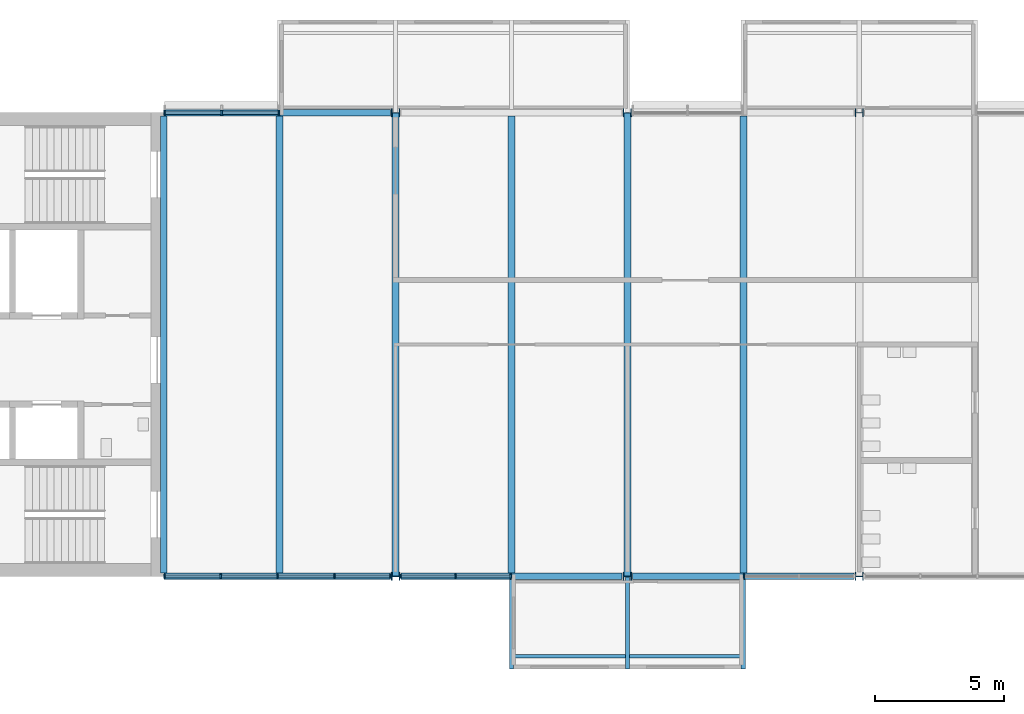
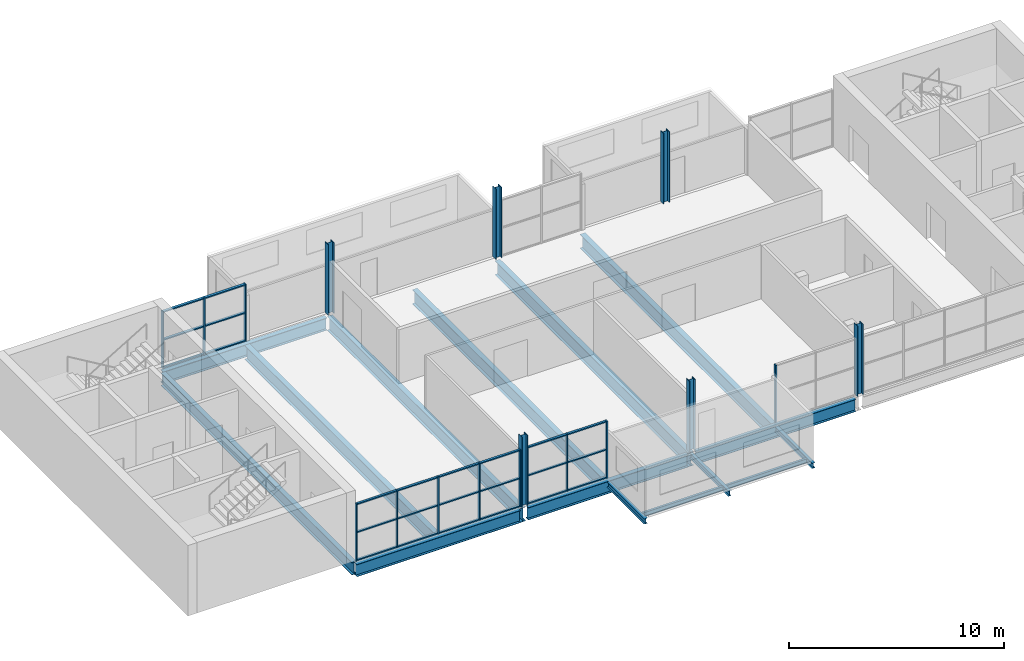
# One storey, part 1 of 10: 36 members, 15 beams, 6 columns, 4 elements without a shape of their own.
"""IFC4 building model written with IfcOpenShell, lengths in metres."""

from ifc_helpers import new_model, si_unit, direction, frame, origin, origin_2d, place, context, subcontext, project, spatial, rectangle, i_section, extrude, material, layer, layer_set, material_profile, profile_set, type_object, element, aggregate, save


model = new_model("IFC4")

# Units and contexts
model_context = context("Model", 3, precision=1e-05, world=origin(), true_north=direction((0.0, 1.0)))
body_context = subcontext(model_context, "Body", "Model", "MODEL_VIEW")
ifc_project = project(units=[si_unit("LENGTHUNIT", "METRE"), si_unit("AREAUNIT", "SQUARE_METRE"), si_unit("VOLUMEUNIT", "CUBIC_METRE"), si_unit("PLANEANGLEUNIT", "RADIAN"), si_unit("MASSUNIT", "GRAM", prefix="KILO")], contexts=[model_context])

# Site, building, storey
site_placement = place(None, origin())
site = spatial("IfcSite", under=ifc_project, at=site_placement, CompositionType="ELEMENT")
building_placement = place(site_placement, origin())
building = spatial("IfcBuilding", under=site, at=building_placement, Name="Corbel Yard City Hall", CompositionType="ELEMENT")
storey_placement = place(building_placement, frame((0.0, 0.0, 51.199951171875)))
storey = spatial("IfcBuildingStorey", under=building, at=storey_placement, Name="L12", CompositionType="ELEMENT", Elevation=51.199951171875)

# Columns
ifc_material_1 = material(Name="Steel Grade 300 (300 MPa yield)", Category="steel")
ifc_material_profile_1 = material_profile(ifc_material_1, i_section(OverallWidth=0.31103515625, OverallDepth=0.326904296875, WebThickness=0.015625, FlangeThickness=0.02490234375, at=origin_2d()), Name="310UC158")
ifc_profile_set_1 = profile_set([ifc_material_profile_1], Name="Steel Grade 300 (300 MPa yield)")
column_type = type_object("IfcColumnType", Name="Column 310UC158", PredefinedType="COLUMN", material=ifc_profile_set_1)
for number, where, z_axis, x_axis, name in (
    (1, (18.0, 99.0, 0.0), (0.0, 0.0, 1.0), (0.0, 1.0, 0.0), "Column 310UC158 L/3 L12"),
    (2, (18.0, 117.0, 0.0), (0.0, 0.0, 1.0), (0.0, 1.0, 0.0), "Column 310UC158 N/3 L12"),
    (3, (27.0, 99.0, 0.0), (0.0, 0.0, 1.0), (0.0, 1.0, 0.0), "Column 310UC158 L/4 L12"),
    (4, (27.0, 117.0, 0.0), (0.0, 0.0, 1.0), (0.0, 1.0, 0.0), "Column 310UC158 N/4 L12"),
    (5, (36.0, 99.0, 0.0), (0.0, 0.0, 1.0), (0.0, 1.0, 0.0), "Column 310UC158 L/5 L12"),
    (6, (36.0, 117.0, 0.0), (0.0, 0.0, 1.0), (0.0, 1.0, 0.0), "Column 310UC158 N/5 L12"),
):
    element("IfcColumn", number, at=place(storey_placement, frame(where, z_axis=z_axis, x_axis=x_axis)), inside=storey, type_object=column_type, Name=name, PredefinedType="COLUMN", context=body_context, shape_type="SweptSolid", body=[
        extrude(i_section(OverallWidth=0.31103515625, OverallDepth=0.326904296875, WebThickness=0.015625, FlangeThickness=0.02490234375, at=origin_2d()), origin(), (0.0, 0.0, 1.0), 4.0),
    ])

# Beams
ifc_material_2 = material(Name="Steel Grade 350", Category="steel")
ifc_material_profile_2 = material_profile(ifc_material_2, i_section(OverallWidth=0.25, OverallDepth=0.699951171875, WebThickness=0.010009765625, FlangeThickness=0.02001953125, at=origin_2d()), Name="700WB130")
ifc_profile_set_2 = profile_set([ifc_material_profile_2], Name="Steel Grade 350")
beam_type_1 = type_object("IfcBeamType", Name="Edge beam 700WB130", PredefinedType="BEAM", material=ifc_profile_set_2)
beam_1_placement = place(storey_placement, frame((9.0, 99.0, -0.5), z_axis=(1.0, 0.0, 0.0), x_axis=(0.0, 1.0, 0.0)))
element("IfcBeam", 7, at=beam_1_placement, inside=storey, type_object=beam_type_1, Name="Edge beam 700WB130 EB9 L12tower", PredefinedType="BEAM", context=body_context, shape_type="SweptSolid", body=[
    extrude(i_section(OverallWidth=0.25, OverallDepth=0.699951171875, WebThickness=0.010009765625, FlangeThickness=0.02001953125, at=origin_2d()), origin(), (0.0, 0.0, 1.0), 8.79296875),
])
for number, where, z_axis, x_axis, name in (
    (8, (18.20703125, 99.0, -0.5), (1.0, 0.0, 0.0), (0.0, 1.0, 0.0), "Edge beam 700WB130 EB9 L12tower"),
    (9, (27.20703125, 99.0, -0.5), (1.0, 0.0, 0.0), (0.0, 1.0, 0.0), "Edge beam 700WB130 EB9 L12tower"),
):
    element("IfcBeam", number, at=place(storey_placement, frame(where, z_axis=z_axis, x_axis=x_axis)), inside=storey, type_object=beam_type_1, Name=name, PredefinedType="BEAM", context=body_context, shape_type="SweptSolid", body=[
        extrude(i_section(OverallWidth=0.25, OverallDepth=0.699951171875, WebThickness=0.010009765625, FlangeThickness=0.02001953125, at=origin_2d()), origin(), (0.0, 0.0, 1.0), 8.5859375),
    ])
beam_2_placement = place(storey_placement, frame((9.0, 117.0, -0.5), z_axis=(1.0, 0.0, 0.0), x_axis=(0.0, 1.0, 0.0)))
element("IfcBeam", 10, at=beam_2_placement, inside=storey, type_object=beam_type_1, Name="Edge beam 700WB130 EB9 L12tower", PredefinedType="BEAM", context=body_context, shape_type="SweptSolid", body=[
    extrude(i_section(OverallWidth=0.25, OverallDepth=0.699951171875, WebThickness=0.010009765625, FlangeThickness=0.02001953125, at=origin_2d()), origin(), (0.0, 0.0, 1.0), 8.79296875),
])
ifc_material_profile_3 = material_profile(ifc_material_2, i_section(OverallWidth=0.27490234375, OverallDepth=0.800048828125, WebThickness=0.010009765625, FlangeThickness=0.02001953125, at=origin_2d()), Name="800WB146")
ifc_profile_set_3 = profile_set([ifc_material_profile_3], Name="Steel Grade 350")
beam_type_2 = type_object("IfcBeamType", Name="Long-span beam 800WB146", PredefinedType="BEAM", material=ifc_profile_set_3)
for number, where, z_axis, x_axis, name in (
    (11, (18.0, 99.012451171875, -0.550048828125), (0.0, 1.0, 0.0), (-1.0, 0.0, 0.0), "Long-span beam 800WB146 SB8 L12tower"),
    (12, (27.0, 99.012451171875, -0.550048828125), (0.0, 1.0, 0.0), (-1.0, 0.0, 0.0), "Long-span beam 800WB146 SB8 L12tower"),
):
    element("IfcBeam", number, at=place(storey_placement, frame(where, z_axis=z_axis, x_axis=x_axis)), inside=storey, type_object=beam_type_2, Name=name, PredefinedType="BEAM", context=body_context, shape_type="SweptSolid", body=[
        extrude(i_section(OverallWidth=0.27490234375, OverallDepth=0.800048828125, WebThickness=0.010009765625, FlangeThickness=0.02001953125, at=origin_2d()), origin(), (0.0, 0.0, 1.0), 17.97509765625),
    ])
ifc_material_profile_4 = material_profile(ifc_material_2, i_section(OverallWidth=0.25, OverallDepth=0.7099609375, WebThickness=0.010009765625, FlangeThickness=0.02490234375, at=origin_2d()), Name="700WB150")
ifc_profile_set_4 = profile_set([ifc_material_profile_4], Name="Steel Grade 350")
beam_type_3 = type_object("IfcBeamType", Name="Long-span edge beam 700WB150", PredefinedType="BEAM", material=ifc_profile_set_4)
beam_3_placement = place(storey_placement, frame((9.0, 99.125, -0.5048828125), z_axis=(0.0, 1.0, 0.0), x_axis=(-1.0, 0.0, 0.0)))
element("IfcBeam", 13, at=beam_3_placement, inside=storey, type_object=beam_type_3, Name="Long-span edge beam 700WB150 EB8 L12tower", PredefinedType="BEAM", context=body_context, shape_type="SweptSolid", body=[
    extrude(i_section(OverallWidth=0.25, OverallDepth=0.7099609375, WebThickness=0.010009765625, FlangeThickness=0.02490234375, at=origin_2d()), origin(), (0.0, 0.0, 1.0), 17.75),
])
ifc_material_profile_5 = material_profile(ifc_material_2, i_section(OverallWidth=0.27490234375, OverallDepth=0.800048828125, WebThickness=0.010009765625, FlangeThickness=0.02001953125, at=origin_2d()), Name="800WB146")
ifc_profile_set_5 = profile_set([ifc_material_profile_5], Name="Steel Grade 350")
beam_type_4 = type_object("IfcBeamType", Name="Long-span secondary beam 800WB146", PredefinedType="JOIST", material=ifc_profile_set_5)
for number, where, z_axis, x_axis, name in (
    (14, (13.5, 99.125, -0.550048828125), (0.0, 1.0, 0.0), (-1.0, 0.0, 0.0), "Long-span secondary beam 800WB146 SB7 L12tower"),
    (15, (22.5, 99.125, -0.550048828125), (0.0, 1.0, 0.0), (-1.0, 0.0, 0.0), "Long-span secondary beam 800WB146 SB7 L12tower"),
    (16, (31.5, 99.125, -0.550048828125), (0.0, 1.0, 0.0), (-1.0, 0.0, 0.0), "Long-span secondary beam 800WB146 SB7 L12tower"),
):
    element("IfcBeam", number, at=place(storey_placement, frame(where, z_axis=z_axis, x_axis=x_axis)), inside=storey, type_object=beam_type_4, Name=name, PredefinedType="JOIST", context=body_context, shape_type="SweptSolid", body=[
        extrude(i_section(OverallWidth=0.27490234375, OverallDepth=0.800048828125, WebThickness=0.010009765625, FlangeThickness=0.02001953125, at=origin_2d()), origin(), (0.0, 0.0, 1.0), 17.75),
    ])

# Curtain wall, members
ifc_material_3 = material(Name="Aluminium extrusion", Category="aluminium")
ifc_layer_1 = layer(ifc_material_3, 0.14990234375)
ifc_layer_set_1 = layer_set([ifc_layer_1], Name="Aluminium extrusion")
curtain_wall_type_1 = type_object("IfcCurtainWallType", Name="CW2", PredefinedType="USERDEFINED", material=ifc_layer_set_1)
curtain_wall_1_placement = place(storey_placement, origin())
curtain_wall_1 = element("IfcCurtainWall", 17, at=curtain_wall_1_placement, inside=storey, type_object=curtain_wall_type_1, Name="Curtain wall CW2 L12", ObjectType="CURTAIN WALL", PredefinedType="USERDEFINED")
ifc_material_profile_6 = material_profile(ifc_material_3, rectangle(XDim=0.14990234375, YDim=0.06494140625, at=origin_2d()), Name="150x65")
ifc_profile_set_6 = profile_set([ifc_material_profile_6], Name="Aluminium extrusion")
member_type_1 = type_object("IfcMemberType", Name="ML2", PredefinedType="MULLION", material=ifc_profile_set_6)
member_1_placement = place(storey_placement, frame((9.032470703125, 99.0, 0.0), z_axis=(0.0, 0.0, 1.0), x_axis=(0.0, 1.0, 0.0)))
member_1 = element("IfcMember", 18, at=member_1_placement, type_object=member_type_1, Name="CW2 mullion 1", PredefinedType="MULLION", context=body_context, shape_type="SweptSolid", body=[
    extrude(rectangle(XDim=0.14990234375, YDim=0.06494140625, at=origin_2d()), origin(), (0.0, 0.0, 1.0), 3.238037109375),
])
member_2_placement = place(storey_placement, frame((11.209228515625, 99.0, 0.0), z_axis=(0.0, 0.0, 1.0), x_axis=(0.0, 1.0, 0.0)))
member_2 = element("IfcMember", 19, at=member_2_placement, type_object=member_type_1, Name="CW2 mullion 2", PredefinedType="MULLION", context=body_context, shape_type="SweptSolid", body=[
    extrude(rectangle(XDim=0.14990234375, YDim=0.06494140625, at=origin_2d()), origin(), (0.0, 0.0, 1.0), 3.238037109375),
])
member_3_placement = place(storey_placement, frame((13.418212890625, 99.0, 0.0), z_axis=(0.0, 0.0, 1.0), x_axis=(0.0, 1.0, 0.0)))
member_3 = element("IfcMember", 20, at=member_3_placement, type_object=member_type_1, Name="CW2 mullion 3", PredefinedType="MULLION", context=body_context, shape_type="SweptSolid", body=[
    extrude(rectangle(XDim=0.14990234375, YDim=0.06494140625, at=origin_2d()), origin(), (0.0, 0.0, 1.0), 3.238037109375),
])
member_4_placement = place(storey_placement, frame((15.62744140625, 99.0, 0.0), z_axis=(0.0, 0.0, 1.0), x_axis=(0.0, 1.0, 0.0)))
member_4 = element("IfcMember", 21, at=member_4_placement, type_object=member_type_1, Name="CW2 mullion 4", PredefinedType="MULLION", context=body_context, shape_type="SweptSolid", body=[
    extrude(rectangle(XDim=0.14990234375, YDim=0.06494140625, at=origin_2d()), origin(), (0.0, 0.0, 1.0), 3.238037109375),
])
member_5_placement = place(storey_placement, frame((17.803955078125, 99.0, 0.0), z_axis=(0.0, 0.0, 1.0), x_axis=(0.0, 1.0, 0.0)))
member_5 = element("IfcMember", 22, at=member_5_placement, type_object=member_type_1, Name="CW2 mullion 5", PredefinedType="MULLION", context=body_context, shape_type="SweptSolid", body=[
    extrude(rectangle(XDim=0.14990234375, YDim=0.06494140625, at=origin_2d()), origin(), (0.0, 0.0, 1.0), 3.238037109375),
])

curtain_wall_2_placement = place(storey_placement, origin())
curtain_wall_2 = element("IfcCurtainWall", 23, at=curtain_wall_2_placement, inside=storey, type_object=curtain_wall_type_1, Name="Curtain wall CW2 L12", ObjectType="CURTAIN WALL", PredefinedType="USERDEFINED")
member_6_placement = place(storey_placement, frame((18.196044921875, 99.0, 0.0), z_axis=(0.0, 0.0, 1.0), x_axis=(0.0, 1.0, 0.0)))
member_6 = element("IfcMember", 24, at=member_6_placement, type_object=member_type_1, Name="CW2 mullion 1", PredefinedType="MULLION", context=body_context, shape_type="SweptSolid", body=[
    extrude(rectangle(XDim=0.14990234375, YDim=0.06494140625, at=origin_2d()), origin(), (0.0, 0.0, 1.0), 3.238037109375),
])
member_7_placement = place(storey_placement, frame((20.331787109375, 99.0, 0.0), z_axis=(0.0, 0.0, 1.0), x_axis=(0.0, 1.0, 0.0)))
member_7 = element("IfcMember", 25, at=member_7_placement, type_object=member_type_1, Name="CW2 mullion 2", PredefinedType="MULLION", context=body_context, shape_type="SweptSolid", body=[
    extrude(rectangle(XDim=0.14990234375, YDim=0.06494140625, at=origin_2d()), origin(), (0.0, 0.0, 1.0), 3.238037109375),
])
member_8_placement = place(storey_placement, frame((22.467529296875, 99.0, 0.0), z_axis=(0.0, 0.0, 1.0), x_axis=(0.0, 1.0, 0.0)))
member_8 = element("IfcMember", 26, at=member_8_placement, type_object=member_type_1, Name="CW2 mullion 3", PredefinedType="MULLION", context=body_context, shape_type="SweptSolid", body=[
    extrude(rectangle(XDim=0.14990234375, YDim=0.06494140625, at=origin_2d()), origin(), (0.0, 0.0, 1.0), 3.238037109375),
])

# Curtain wall, member
curtain_wall_3_placement = place(storey_placement, origin())
curtain_wall_3 = element("IfcCurtainWall", 27, at=curtain_wall_3_placement, inside=storey, type_object=curtain_wall_type_1, Name="Curtain wall CW2 L12", ObjectType="CURTAIN WALL", PredefinedType="USERDEFINED")
member_9_placement = place(storey_placement, frame((31.532470703125, 99.0, 0.0), z_axis=(0.0, 0.0, 1.0), x_axis=(0.0, 1.0, 0.0)))
member_9 = element("IfcMember", 28, at=member_9_placement, type_object=member_type_1, Name="CW2 mullion 1", PredefinedType="MULLION", context=body_context, shape_type="SweptSolid", body=[
    extrude(rectangle(XDim=0.14990234375, YDim=0.06494140625, at=origin_2d()), origin(), (0.0, 0.0, 1.0), 3.238037109375),
])
aggregate(curtain_wall_3, [member_9])

# Curtain wall, members
ifc_layer_2 = layer(ifc_material_3, 0.179931640625)
ifc_layer_set_2 = layer_set([ifc_layer_2], Name="Aluminium extrusion")
curtain_wall_type_2 = type_object("IfcCurtainWallType", Name="CW6", PredefinedType="USERDEFINED", material=ifc_layer_set_2)
curtain_wall_4_placement = place(storey_placement, origin())
curtain_wall_4 = element("IfcCurtainWall", 29, at=curtain_wall_4_placement, inside=storey, type_object=curtain_wall_type_2, Name="Curtain wall CW6 L12", ObjectType="CURTAIN WALL", PredefinedType="USERDEFINED")
ifc_material_profile_7 = material_profile(ifc_material_3, rectangle(XDim=0.179931640625, YDim=0.06494140625, at=origin_2d()), Name="180x65")
ifc_profile_set_7 = profile_set([ifc_material_profile_7], Name="Aluminium extrusion")
member_type_2 = type_object("IfcMemberType", Name="ML6", PredefinedType="MULLION", material=ifc_profile_set_7)
member_10_placement = place(storey_placement, frame((9.032470703125, 117.0, 0.0), z_axis=(0.0, 0.0, 1.0), x_axis=(0.0, 1.0, 0.0)))
member_10 = element("IfcMember", 30, at=member_10_placement, type_object=member_type_2, Name="CW6 mullion 1", PredefinedType="MULLION", context=body_context, shape_type="SweptSolid", body=[
    extrude(rectangle(XDim=0.179931640625, YDim=0.06494140625, at=origin_2d()), origin(), (0.0, 0.0, 1.0), 3.238037109375),
])
member_11_placement = place(storey_placement, frame((11.25, 117.0, 0.0), z_axis=(0.0, 0.0, 1.0), x_axis=(0.0, 1.0, 0.0)))
member_11 = element("IfcMember", 31, at=member_11_placement, type_object=member_type_2, Name="CW6 mullion 2", PredefinedType="MULLION", context=body_context, shape_type="SweptSolid", body=[
    extrude(rectangle(XDim=0.179931640625, YDim=0.06494140625, at=origin_2d()), origin(), (0.0, 0.0, 1.0), 3.238037109375),
])
member_12_placement = place(storey_placement, frame((13.467529296875, 117.0, 0.0), z_axis=(0.0, 0.0, 1.0), x_axis=(0.0, 1.0, 0.0)))
member_12 = element("IfcMember", 32, at=member_12_placement, type_object=member_type_2, Name="CW6 mullion 3", PredefinedType="MULLION", context=body_context, shape_type="SweptSolid", body=[
    extrude(rectangle(XDim=0.179931640625, YDim=0.06494140625, at=origin_2d()), origin(), (0.0, 0.0, 1.0), 3.238037109375),
])

# Beams
ifc_material_profile_8 = material_profile(ifc_material_1, i_section(OverallWidth=0.166015625, OverallDepth=0.306884765625, WebThickness=0.006591796875, FlangeThickness=0.01171875, at=origin_2d()), Name="310UB46.2")
ifc_profile_set_8 = profile_set([ifc_material_profile_8], Name="Steel Grade 300 (300 MPa yield)")
beam_type_5 = type_object("IfcBeamType", Name="Pod stub beam 310UB46.2", PredefinedType="BEAM", material=ifc_profile_set_8)
beam_4_placement = place(storey_placement, frame((22.5, 95.39990234375, -0.303466796875), z_axis=(0.0, 1.0, 0.0), x_axis=(-1.0, 0.0, 0.0)))
element("IfcBeam", 33, at=beam_4_placement, inside=storey, type_object=beam_type_5, Name="Pod stub 310UB46.2 CB1 L12", PredefinedType="BEAM", context=body_context, shape_type="SweptSolid", body=[
    extrude(i_section(OverallWidth=0.166015625, OverallDepth=0.306884765625, WebThickness=0.006591796875, FlangeThickness=0.01171875, at=origin_2d()), origin(), (0.0, 0.0, 1.0), 3.47509765625),
])
beam_5_placement = place(storey_placement, frame((27.0, 95.39990234375, -0.303466796875), z_axis=(0.0, 1.0, 0.0), x_axis=(-1.0, 0.0, 0.0)))
element("IfcBeam", 34, at=beam_5_placement, inside=storey, type_object=beam_type_5, Name="Pod stub 310UB46.2 CB1 L12", PredefinedType="BEAM", context=body_context, shape_type="SweptSolid", body=[
    extrude(i_section(OverallWidth=0.166015625, OverallDepth=0.306884765625, WebThickness=0.006591796875, FlangeThickness=0.01171875, at=origin_2d()), origin(), (0.0, 0.0, 1.0), 3.59228515625),
])
beam_6_placement = place(storey_placement, frame((31.5, 95.39990234375, -0.303466796875), z_axis=(0.0, 1.0, 0.0), x_axis=(-1.0, 0.0, 0.0)))
element("IfcBeam", 35, at=beam_6_placement, inside=storey, type_object=beam_type_5, Name="Pod stub 310UB46.2 CB1 L12", PredefinedType="BEAM", context=body_context, shape_type="SweptSolid", body=[
    extrude(i_section(OverallWidth=0.166015625, OverallDepth=0.306884765625, WebThickness=0.006591796875, FlangeThickness=0.01171875, at=origin_2d()), origin(), (0.0, 0.0, 1.0), 3.47509765625),
])
ifc_material_profile_9 = material_profile(ifc_material_1, i_section(OverallWidth=0.1240234375, OverallDepth=0.248046875, WebThickness=0.0048828125, FlangeThickness=0.008056640625, at=origin_2d()), Name="250UB25.7")
ifc_profile_set_9 = profile_set([ifc_material_profile_9], Name="Steel Grade 300 (300 MPa yield)")
beam_type_6 = type_object("IfcBeamType", Name="Pod tip beam", PredefinedType="BEAM", material=ifc_profile_set_9)
for number, where, z_axis, x_axis, name in (
    (36, (22.5830078125, 95.89990234375, -0.27392578125), (1.0, 0.0, 0.0), (0.0, 1.0, 0.0), "Pod tip beam"),
    (37, (27.0830078125, 95.89990234375, -0.27392578125), (1.0, 0.0, 0.0), (0.0, 1.0, 0.0), "Pod tip beam"),
):
    element("IfcBeam", number, at=place(storey_placement, frame(where, z_axis=z_axis, x_axis=x_axis)), inside=storey, type_object=beam_type_6, Name=name, PredefinedType="BEAM", context=body_context, shape_type="SweptSolid", body=[
        extrude(i_section(OverallWidth=0.1240234375, OverallDepth=0.248046875, WebThickness=0.0048828125, FlangeThickness=0.008056640625, at=origin_2d()), origin(), (0.0, 0.0, 1.0), 4.333984375),
    ])

# Member
ifc_material_profile_10 = material_profile(ifc_material_3, rectangle(XDim=0.1201171875, YDim=0.06494140625, at=origin_2d()), Name="120x65")
ifc_profile_set_10 = profile_set([ifc_material_profile_10], Name="Aluminium extrusion")
member_type_3 = type_object("IfcMemberType", Name="TR2", PredefinedType="USERDEFINED", material=ifc_profile_set_10)
member_13_placement = place(storey_placement, frame((9.06494140625, 99.0, 0.032470703125), z_axis=(1.0, 0.0, 0.0), x_axis=(0.0, 1.0, 0.0)))
member_13 = element("IfcMember", 38, at=member_13_placement, type_object=member_type_3, Name="CW2 transom 1.1", ObjectType="TRANSOM", PredefinedType="USERDEFINED", context=body_context, shape_type="SweptSolid", body=[
    extrude(rectangle(XDim=0.1201171875, YDim=0.06494140625, at=origin_2d()), origin(), (0.0, 0.0, 1.0), 2.111572265625),
])

member_14_placement = place(storey_placement, frame((9.06494140625, 99.0, 1.619140625), z_axis=(1.0, 0.0, 0.0), x_axis=(0.0, 1.0, 0.0)))
member_14 = element("IfcMember", 39, at=member_14_placement, type_object=member_type_3, Name="CW2 transom 1.2", ObjectType="TRANSOM", PredefinedType="USERDEFINED", context=body_context, shape_type="SweptSolid", body=[
    extrude(rectangle(XDim=0.1201171875, YDim=0.06494140625, at=origin_2d()), origin(), (0.0, 0.0, 1.0), 2.111572265625),
])

member_15_placement = place(storey_placement, frame((9.06494140625, 99.0, 3.20556640625), z_axis=(1.0, 0.0, 0.0), x_axis=(0.0, 1.0, 0.0)))
member_15 = element("IfcMember", 40, at=member_15_placement, type_object=member_type_3, Name="CW2 transom 1.3", ObjectType="TRANSOM", PredefinedType="USERDEFINED", context=body_context, shape_type="SweptSolid", body=[
    extrude(rectangle(XDim=0.1201171875, YDim=0.06494140625, at=origin_2d()), origin(), (0.0, 0.0, 1.0), 2.111572265625),
])

member_16_placement = place(storey_placement, frame((11.24169921875, 99.0, 0.032470703125), z_axis=(1.0, 0.0, 0.0), x_axis=(0.0, 1.0, 0.0)))
member_16 = element("IfcMember", 41, at=member_16_placement, type_object=member_type_3, Name="CW2 transom 2.1", ObjectType="TRANSOM", PredefinedType="USERDEFINED", context=body_context, shape_type="SweptSolid", body=[
    extrude(rectangle(XDim=0.1201171875, YDim=0.06494140625, at=origin_2d()), origin(), (0.0, 0.0, 1.0), 2.14404296875),
])

member_17_placement = place(storey_placement, frame((11.24169921875, 99.0, 1.619140625), z_axis=(1.0, 0.0, 0.0), x_axis=(0.0, 1.0, 0.0)))
member_17 = element("IfcMember", 42, at=member_17_placement, type_object=member_type_3, Name="CW2 transom 2.2", ObjectType="TRANSOM", PredefinedType="USERDEFINED", context=body_context, shape_type="SweptSolid", body=[
    extrude(rectangle(XDim=0.1201171875, YDim=0.06494140625, at=origin_2d()), origin(), (0.0, 0.0, 1.0), 2.14404296875),
])

member_18_placement = place(storey_placement, frame((11.24169921875, 99.0, 3.20556640625), z_axis=(1.0, 0.0, 0.0), x_axis=(0.0, 1.0, 0.0)))
member_18 = element("IfcMember", 43, at=member_18_placement, type_object=member_type_3, Name="CW2 transom 2.3", ObjectType="TRANSOM", PredefinedType="USERDEFINED", context=body_context, shape_type="SweptSolid", body=[
    extrude(rectangle(XDim=0.1201171875, YDim=0.06494140625, at=origin_2d()), origin(), (0.0, 0.0, 1.0), 2.14404296875),
])

member_19_placement = place(storey_placement, frame((13.45068359375, 99.0, 0.032470703125), z_axis=(1.0, 0.0, 0.0), x_axis=(0.0, 1.0, 0.0)))
member_19 = element("IfcMember", 44, at=member_19_placement, type_object=member_type_3, Name="CW2 transom 3.1", ObjectType="TRANSOM", PredefinedType="USERDEFINED", context=body_context, shape_type="SweptSolid", body=[
    extrude(rectangle(XDim=0.1201171875, YDim=0.06494140625, at=origin_2d()), origin(), (0.0, 0.0, 1.0), 2.144287109375),
])

member_20_placement = place(storey_placement, frame((13.45068359375, 99.0, 1.619140625), z_axis=(1.0, 0.0, 0.0), x_axis=(0.0, 1.0, 0.0)))
member_20 = element("IfcMember", 45, at=member_20_placement, type_object=member_type_3, Name="CW2 transom 3.2", ObjectType="TRANSOM", PredefinedType="USERDEFINED", context=body_context, shape_type="SweptSolid", body=[
    extrude(rectangle(XDim=0.1201171875, YDim=0.06494140625, at=origin_2d()), origin(), (0.0, 0.0, 1.0), 2.144287109375),
])

member_21_placement = place(storey_placement, frame((13.45068359375, 99.0, 3.20556640625), z_axis=(1.0, 0.0, 0.0), x_axis=(0.0, 1.0, 0.0)))
member_21 = element("IfcMember", 46, at=member_21_placement, type_object=member_type_3, Name="CW2 transom 3.3", ObjectType="TRANSOM", PredefinedType="USERDEFINED", context=body_context, shape_type="SweptSolid", body=[
    extrude(rectangle(XDim=0.1201171875, YDim=0.06494140625, at=origin_2d()), origin(), (0.0, 0.0, 1.0), 2.144287109375),
])

member_22_placement = place(storey_placement, frame((15.659912109375, 99.0, 0.032470703125), z_axis=(1.0, 0.0, 0.0), x_axis=(0.0, 1.0, 0.0)))
member_22 = element("IfcMember", 47, at=member_22_placement, type_object=member_type_3, Name="CW2 transom 4.1", ObjectType="TRANSOM", PredefinedType="USERDEFINED", context=body_context, shape_type="SweptSolid", body=[
    extrude(rectangle(XDim=0.1201171875, YDim=0.06494140625, at=origin_2d()), origin(), (0.0, 0.0, 1.0), 2.111572265625),
])

member_23_placement = place(storey_placement, frame((15.659912109375, 99.0, 1.619140625), z_axis=(1.0, 0.0, 0.0), x_axis=(0.0, 1.0, 0.0)))
member_23 = element("IfcMember", 48, at=member_23_placement, type_object=member_type_3, Name="CW2 transom 4.2", ObjectType="TRANSOM", PredefinedType="USERDEFINED", context=body_context, shape_type="SweptSolid", body=[
    extrude(rectangle(XDim=0.1201171875, YDim=0.06494140625, at=origin_2d()), origin(), (0.0, 0.0, 1.0), 2.111572265625),
])

member_24_placement = place(storey_placement, frame((15.659912109375, 99.0, 3.20556640625), z_axis=(1.0, 0.0, 0.0), x_axis=(0.0, 1.0, 0.0)))
member_24 = element("IfcMember", 49, at=member_24_placement, type_object=member_type_3, Name="CW2 transom 4.3", ObjectType="TRANSOM", PredefinedType="USERDEFINED", context=body_context, shape_type="SweptSolid", body=[
    extrude(rectangle(XDim=0.1201171875, YDim=0.06494140625, at=origin_2d()), origin(), (0.0, 0.0, 1.0), 2.111572265625),
])

aggregate(curtain_wall_1, [member_1, member_2, member_3, member_4, member_5, member_13, member_14, member_15, member_16, member_17, member_18, member_19, member_20, member_21, member_22, member_23, member_24])

member_25_placement = place(storey_placement, frame((18.228515625, 99.0, 0.032470703125), z_axis=(1.0, 0.0, 0.0), x_axis=(0.0, 1.0, 0.0)))
member_25 = element("IfcMember", 50, at=member_25_placement, type_object=member_type_3, Name="CW2 transom 1.1", ObjectType="TRANSOM", PredefinedType="USERDEFINED", context=body_context, shape_type="SweptSolid", body=[
    extrude(rectangle(XDim=0.1201171875, YDim=0.06494140625, at=origin_2d()), origin(), (0.0, 0.0, 1.0), 2.07080078125),
])

member_26_placement = place(storey_placement, frame((18.228515625, 99.0, 1.619140625), z_axis=(1.0, 0.0, 0.0), x_axis=(0.0, 1.0, 0.0)))
member_26 = element("IfcMember", 51, at=member_26_placement, type_object=member_type_3, Name="CW2 transom 1.2", ObjectType="TRANSOM", PredefinedType="USERDEFINED", context=body_context, shape_type="SweptSolid", body=[
    extrude(rectangle(XDim=0.1201171875, YDim=0.06494140625, at=origin_2d()), origin(), (0.0, 0.0, 1.0), 2.07080078125),
])

member_27_placement = place(storey_placement, frame((18.228515625, 99.0, 3.20556640625), z_axis=(1.0, 0.0, 0.0), x_axis=(0.0, 1.0, 0.0)))
member_27 = element("IfcMember", 52, at=member_27_placement, type_object=member_type_3, Name="CW2 transom 1.3", ObjectType="TRANSOM", PredefinedType="USERDEFINED", context=body_context, shape_type="SweptSolid", body=[
    extrude(rectangle(XDim=0.1201171875, YDim=0.06494140625, at=origin_2d()), origin(), (0.0, 0.0, 1.0), 2.07080078125),
])

member_28_placement = place(storey_placement, frame((20.3642578125, 99.0, 0.032470703125), z_axis=(1.0, 0.0, 0.0), x_axis=(0.0, 1.0, 0.0)))
member_28 = element("IfcMember", 53, at=member_28_placement, type_object=member_type_3, Name="CW2 transom 2.1", ObjectType="TRANSOM", PredefinedType="USERDEFINED", context=body_context, shape_type="SweptSolid", body=[
    extrude(rectangle(XDim=0.1201171875, YDim=0.06494140625, at=origin_2d()), origin(), (0.0, 0.0, 1.0), 2.07080078125),
])

member_29_placement = place(storey_placement, frame((20.3642578125, 99.0, 1.619140625), z_axis=(1.0, 0.0, 0.0), x_axis=(0.0, 1.0, 0.0)))
member_29 = element("IfcMember", 54, at=member_29_placement, type_object=member_type_3, Name="CW2 transom 2.2", ObjectType="TRANSOM", PredefinedType="USERDEFINED", context=body_context, shape_type="SweptSolid", body=[
    extrude(rectangle(XDim=0.1201171875, YDim=0.06494140625, at=origin_2d()), origin(), (0.0, 0.0, 1.0), 2.07080078125),
])

member_30_placement = place(storey_placement, frame((20.3642578125, 99.0, 3.20556640625), z_axis=(1.0, 0.0, 0.0), x_axis=(0.0, 1.0, 0.0)))
member_30 = element("IfcMember", 55, at=member_30_placement, type_object=member_type_3, Name="CW2 transom 2.3", ObjectType="TRANSOM", PredefinedType="USERDEFINED", context=body_context, shape_type="SweptSolid", body=[
    extrude(rectangle(XDim=0.1201171875, YDim=0.06494140625, at=origin_2d()), origin(), (0.0, 0.0, 1.0), 2.07080078125),
])

aggregate(curtain_wall_2, [member_6, member_7, member_8, member_25, member_26, member_27, member_28, member_29, member_30])

ifc_material_profile_11 = material_profile(ifc_material_3, rectangle(XDim=0.139892578125, YDim=0.06494140625, at=origin_2d()), Name="140x65")
ifc_profile_set_11 = profile_set([ifc_material_profile_11], Name="Aluminium extrusion")
member_type_4 = type_object("IfcMemberType", Name="TR6", PredefinedType="USERDEFINED", material=ifc_profile_set_11)
member_31_placement = place(storey_placement, frame((9.06494140625, 117.0, 0.032470703125), z_axis=(1.0, 0.0, 0.0), x_axis=(0.0, 1.0, 0.0)))
member_31 = element("IfcMember", 56, at=member_31_placement, type_object=member_type_4, Name="CW6 transom 1.1", ObjectType="TRANSOM", PredefinedType="USERDEFINED", context=body_context, shape_type="SweptSolid", body=[
    extrude(rectangle(XDim=0.139892578125, YDim=0.06494140625, at=origin_2d()), origin(), (0.0, 0.0, 1.0), 2.152587890625),
])

member_32_placement = place(storey_placement, frame((9.06494140625, 117.0, 1.619140625), z_axis=(1.0, 0.0, 0.0), x_axis=(0.0, 1.0, 0.0)))
member_32 = element("IfcMember", 57, at=member_32_placement, type_object=member_type_4, Name="CW6 transom 1.2", ObjectType="TRANSOM", PredefinedType="USERDEFINED", context=body_context, shape_type="SweptSolid", body=[
    extrude(rectangle(XDim=0.139892578125, YDim=0.06494140625, at=origin_2d()), origin(), (0.0, 0.0, 1.0), 2.152587890625),
])

member_33_placement = place(storey_placement, frame((9.06494140625, 117.0, 3.20556640625), z_axis=(1.0, 0.0, 0.0), x_axis=(0.0, 1.0, 0.0)))
member_33 = element("IfcMember", 58, at=member_33_placement, type_object=member_type_4, Name="CW6 transom 1.3", ObjectType="TRANSOM", PredefinedType="USERDEFINED", context=body_context, shape_type="SweptSolid", body=[
    extrude(rectangle(XDim=0.139892578125, YDim=0.06494140625, at=origin_2d()), origin(), (0.0, 0.0, 1.0), 2.152587890625),
])

member_34_placement = place(storey_placement, frame((11.282470703125, 117.0, 0.032470703125), z_axis=(1.0, 0.0, 0.0), x_axis=(0.0, 1.0, 0.0)))
member_34 = element("IfcMember", 59, at=member_34_placement, type_object=member_type_4, Name="CW6 transom 2.1", ObjectType="TRANSOM", PredefinedType="USERDEFINED", context=body_context, shape_type="SweptSolid", body=[
    extrude(rectangle(XDim=0.139892578125, YDim=0.06494140625, at=origin_2d()), origin(), (0.0, 0.0, 1.0), 2.152587890625),
])

member_35_placement = place(storey_placement, frame((11.282470703125, 117.0, 1.619140625), z_axis=(1.0, 0.0, 0.0), x_axis=(0.0, 1.0, 0.0)))
member_35 = element("IfcMember", 60, at=member_35_placement, type_object=member_type_4, Name="CW6 transom 2.2", ObjectType="TRANSOM", PredefinedType="USERDEFINED", context=body_context, shape_type="SweptSolid", body=[
    extrude(rectangle(XDim=0.139892578125, YDim=0.06494140625, at=origin_2d()), origin(), (0.0, 0.0, 1.0), 2.152587890625),
])

member_36_placement = place(storey_placement, frame((11.282470703125, 117.0, 3.20556640625), z_axis=(1.0, 0.0, 0.0), x_axis=(0.0, 1.0, 0.0)))
member_36 = element("IfcMember", 61, at=member_36_placement, type_object=member_type_4, Name="CW6 transom 2.3", ObjectType="TRANSOM", PredefinedType="USERDEFINED", context=body_context, shape_type="SweptSolid", body=[
    extrude(rectangle(XDim=0.139892578125, YDim=0.06494140625, at=origin_2d()), origin(), (0.0, 0.0, 1.0), 2.152587890625),
])

aggregate(curtain_wall_4, [member_10, member_11, member_12, member_31, member_32, member_33, member_34, member_35, member_36])

save(model, "model.ifc")
